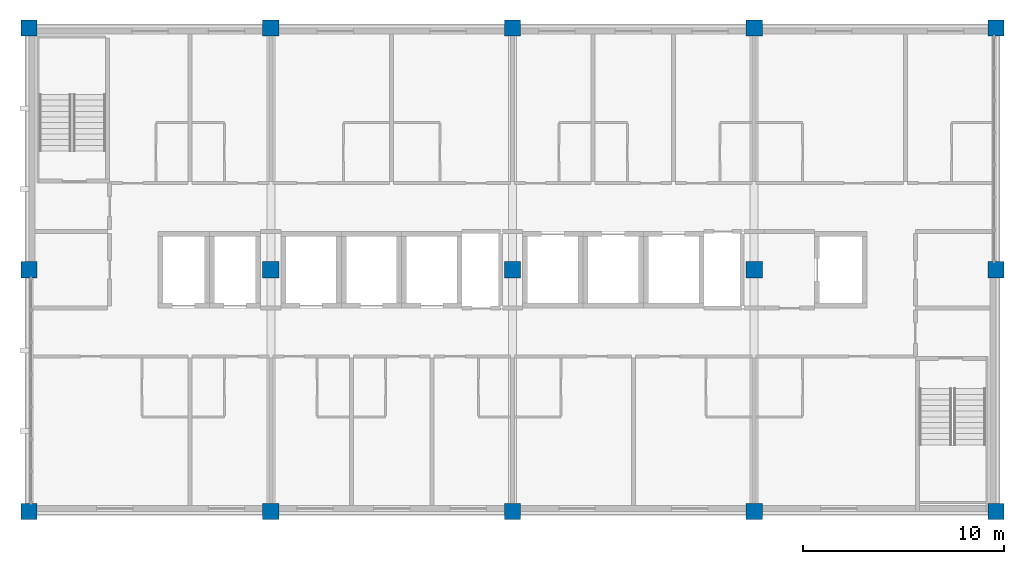
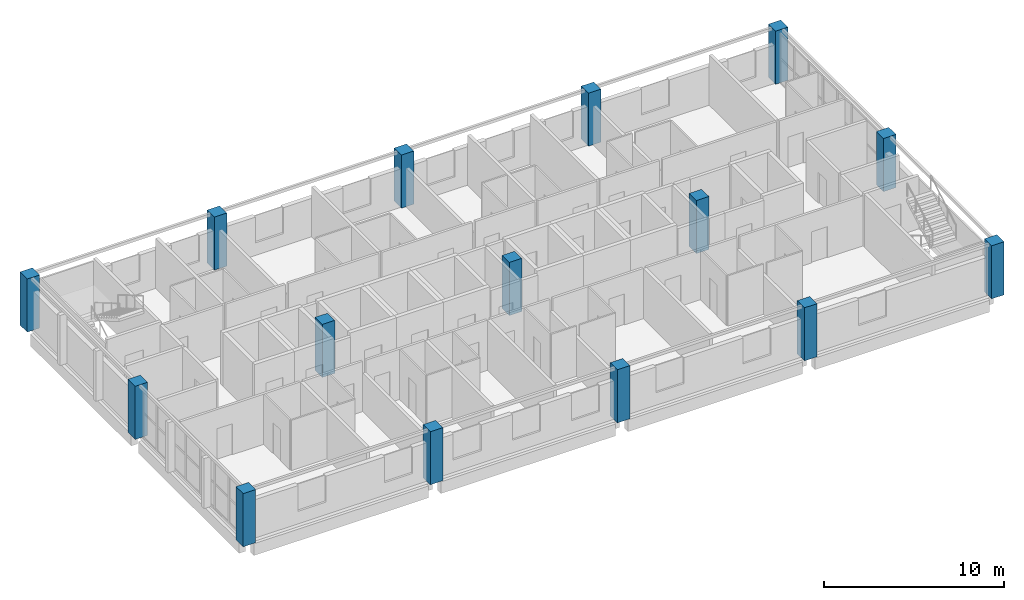
# One storey, part 1 of 11: 15 columns.
"""IFC4 building model written with IfcOpenShell, lengths in metres."""

import ifcopenshell
import ifcopenshell.guid

model = None  # the IFC model being written
_history = None  # IfcOwnerHistory: only IFC2X3 demands one
_inside = {}  # id of a spatial element -> (the spatial element, [elements in it])
_under = {}  # id of a project, library or spatial element -> (it, [spatial elements below it])
_declared = {}  # id of a project -> (the project, [libraries it declares])
_typed = {}  # id of a type object -> (the type object, [elements of that type])
_made_of = {}  # id of a material, layer set ... -> (it, [elements and type objects made of it])


def new_model(schema):
    """Start an empty IFC model of exactly this schema.

    Asked for "IFC4X3", IfcOpenShell would pick the latest addendum, in which some entities
    have other attributes; the version numbers below select the first issue.
    IFC2X3 requires an IfcOwnerHistory on every rooted entity: one is made here for all.
    """
    global model, _history
    if schema == "IFC4X3":
        model = ifcopenshell.file(schema_version=(4, 3, 0, 0))
    else:
        model = ifcopenshell.file(schema=schema)
    _inside.clear()
    _under.clear()
    _declared.clear()
    _typed.clear()
    _made_of.clear()
    _history = None
    if model.schema == "IFC2X3":
        org = make("IfcOrganization", Name="unknown")
        user = make(
            "IfcPersonAndOrganization",
            ThePerson=make("IfcPerson", FamilyName="unknown"),
            TheOrganization=org,
        )
        app = make(
            "IfcApplication",
            ApplicationDeveloper=org,
            Version="unknown",
            ApplicationFullName="unknown",
            ApplicationIdentifier="unknown",
        )
        _history = make(
            "IfcOwnerHistory",
            OwningUser=user,
            OwningApplication=app,
            ChangeAction="ADDED",
            CreationDate=0,
        )
    return model


def make(cls, **values):
    """One entity of the class cls with the attributes given. An attribute that is None is left unset."""
    return model.create_entity(
        cls, **{name: value for name, value in values.items() if value is not None}
    )


def rooted(cls, **values):
    """An entity with a GlobalId (a new one), such as an element, a storey or a relation."""
    return make(cls, GlobalId=ifcopenshell.guid.new(), OwnerHistory=_history, **values)


def si_unit(unit_type, name, prefix=None):
    """IfcSIUnit, for example si_unit("LENGTHUNIT", "METRE", prefix="MILLI")."""
    return make("IfcSIUnit", UnitType=unit_type, Prefix=prefix, Name=name)


def assignment(units):
    """IfcUnitAssignment: the units of a project."""
    return None if units is None else make("IfcUnitAssignment", Units=units)


def point(xyz):
    """IfcCartesianPoint."""
    return None if xyz is None else make("IfcCartesianPoint", Coordinates=xyz)


def direction(xyz):
    """IfcDirection."""
    return None if xyz is None else make("IfcDirection", DirectionRatios=xyz)


def frame(location, z_axis=None, x_axis=None):
    """IfcAxis2Placement3D, a coordinate frame: its origin and axes. An axis left out is left unset."""
    return make(
        "IfcAxis2Placement3D",
        Location=point(location),
        Axis=direction(z_axis),
        RefDirection=direction(x_axis),
    )


def frame_2d(location, x_axis=None):
    """IfcAxis2Placement2D, a coordinate frame in the plane: its origin and x axis."""
    return make(
        "IfcAxis2Placement2D", Location=point(location), RefDirection=direction(x_axis)
    )


def origin():
    """The frame at (0, 0, 0) with its axes left unset."""
    return frame((0.0, 0.0, 0.0))


def origin_2d():
    """The frame at (0, 0) in the plane with its x axis left unset."""
    return frame_2d((0.0, 0.0))


def place(relative_to, where):
    """IfcLocalPlacement: puts the frame where relative to a parent placement (None: the world)."""
    return make(
        "IfcLocalPlacement", PlacementRelTo=relative_to, RelativePlacement=where
    )


def context(
    kind, dimensions, precision=None, world=None, true_north=None, identifier=None
):
    """IfcGeometricRepresentationContext, for example the 3D "Model" context."""
    return make(
        "IfcGeometricRepresentationContext",
        ContextIdentifier=identifier,
        ContextType=kind,
        CoordinateSpaceDimension=dimensions,
        Precision=precision,
        WorldCoordinateSystem=world,
        TrueNorth=true_north,
    )


def subcontext(parent, identifier, kind, view, scale=None):
    """IfcGeometricRepresentationSubContext, for example "Body" below "Model"."""
    return make(
        "IfcGeometricRepresentationSubContext",
        ContextIdentifier=identifier,
        ContextType=kind,
        ParentContext=parent,
        TargetScale=scale,
        TargetView=view,
    )


def project(units=None, contexts=None):
    """IfcProject with its units and contexts."""
    return rooted(
        "IfcProject",
        Name="project",
        RepresentationContexts=contexts,
        UnitsInContext=assignment(units),
    )


def spatial(cls, under=None, at=None, **own):
    """A site, building, storey or space (cls), placed at a placement, below another one or the project."""
    s = rooted(cls, ObjectPlacement=at, **own)
    if under is not None:
        _under.setdefault(under.id(), (under, []))[1].append(s)
    return s


def profile(cls, at=None, kind="AREA", **sizes):
    """A parametric profile (cls). Its sizes go by their IFC names, for example OverallWidth=200.0."""
    return make(cls, ProfileType=kind, Position=at, **sizes)


def rectangle(**sizes):
    """IfcRectangleProfileDef."""
    return profile("IfcRectangleProfileDef", **sizes)


def extrude(swept, where, along, depth):
    """IfcExtrudedAreaSolid: the profile swept, set in the frame where, extruded along a direction by depth."""
    return make(
        "IfcExtrudedAreaSolid",
        SweptArea=swept,
        Position=where,
        ExtrudedDirection=direction(along),
        Depth=depth,
    )


def shape(context_of_items, identifier, shape_type, items):
    """IfcShapeRepresentation: the items that make up one representation, for example the "Body"."""
    return make(
        "IfcShapeRepresentation",
        ContextOfItems=context_of_items,
        RepresentationIdentifier=identifier,
        RepresentationType=shape_type,
        Items=items,
    )


def material(Name=None, Category=None):
    """IfcMaterial."""
    return make("IfcMaterial", Name=Name, Category=Category)


def material_profile(
    of_material, cross_section, Name=None, Category=None, Priority=None
):
    """IfcMaterialProfile: a cross section and its material."""
    return make(
        "IfcMaterialProfile",
        Name=Name,
        Material=of_material,
        Profile=cross_section,
        Priority=Priority,
        Category=Category,
    )


def profile_set(profiles, Name=None, composite=None):
    """IfcMaterialProfileSet."""
    return make(
        "IfcMaterialProfileSet",
        Name=Name,
        MaterialProfiles=profiles,
        CompositeProfile=composite,
    )


def made_of(thing, what):
    """Note that an element or type object is made of a material, layer set ...; save() writes the relation."""
    if what is not None:
        _made_of.setdefault(what.id(), (what, []))[1].append(thing)
    return thing


def type_object(cls, material=None, **own):
    """A type object (cls), such as IfcWallType, which elements share."""
    return made_of(rooted(cls, **own), material)


def element(
    cls,
    number,
    at=None,
    inside=None,
    cuts=None,
    type_object=None,
    material=None,
    context=None,
    identifier="Body",
    shape_type=None,
    held_by="IfcProductDefinitionShape",
    body=None,
    shapes=None,
    **own,
):
    """One element of the class cls, such as IfcWall. Its Tag is "e" and its number.

    at: its placement. inside: the storey or other place that contains it. cuts: it is an
    opening in that element (IfcRelVoidsElement). A single representation is given by context,
    identifier, shape_type and body (its items); several are given by shapes. held_by: the class
    of the entity that holds the representations. save() writes the other relations.
    """
    e = rooted(cls, Tag="e%d" % number, ObjectPlacement=at, **own)
    if body is not None:
        shapes = [shape(context, identifier, shape_type, body)]
    if shapes is not None:
        e.Representation = make(held_by, Representations=shapes)
    if inside is not None:
        _inside.setdefault(inside.id(), (inside, []))[1].append(e)
    if cuts is not None:
        rooted(
            "IfcRelVoidsElement", RelatingBuildingElement=cuts, RelatedOpeningElement=e
        )
    if type_object is not None:
        _typed.setdefault(type_object.id(), (type_object, []))[1].append(e)
    return made_of(e, material)


def aggregate(whole, parts):
    """IfcRelAggregates: a whole, such as a stair, and the parts it consists of."""
    return rooted("IfcRelAggregates", RelatingObject=whole, RelatedObjects=parts)


def save(model, path):
    """Write the relations noted so far, then the file.

    IfcRelAggregates (storeys below a building ...), IfcRelContainedInSpatialStructure (elements
    in a storey), IfcRelDefinesByType, IfcRelAssociatesMaterial and IfcRelDeclares: one each for
    every whole, place, type object, material and project.
    """
    for whole, parts in _under.values():
        aggregate(whole, parts)
    for where, things in _inside.values():
        rooted(
            "IfcRelContainedInSpatialStructure",
            RelatedElements=things,
            RelatingStructure=where,
        )
    for kind, things in _typed.values():
        rooted("IfcRelDefinesByType", RelatedObjects=things, RelatingType=kind)
    for what, things in _made_of.values():
        rooted("IfcRelAssociatesMaterial", RelatedObjects=things, RelatingMaterial=what)
    for by, libraries in _declared.values():
        rooted("IfcRelDeclares", RelatingContext=by, RelatedDefinitions=libraries)
    model.write(path)


model = new_model("IFC4")

# Units and contexts
model_context = context("Model", 3, precision=1e-05, world=origin(), true_north=direction((0.0, 1.0)))
body_context = subcontext(model_context, "Body", "Model", "MODEL_VIEW")
ifc_project = project(units=[si_unit("LENGTHUNIT", "METRE"), si_unit("AREAUNIT", "SQUARE_METRE"), si_unit("VOLUMEUNIT", "CUBIC_METRE"), si_unit("PLANEANGLEUNIT", "RADIAN"), si_unit("MASSUNIT", "GRAM", prefix="KILO")], contexts=[model_context])

# Site, building, storey
site_placement = place(None, origin())
site = spatial("IfcSite", under=ifc_project, at=site_placement, CompositionType="ELEMENT")
building_placement = place(site_placement, origin())
building = spatial("IfcBuilding", under=site, at=building_placement, Name="Lilac Gate Convention Centre", CompositionType="ELEMENT")
storey_placement = place(building_placement, frame((0.0, 0.0, 42.60009765625)))
storey = spatial("IfcBuildingStorey", under=building, at=storey_placement, Name="L10", CompositionType="ELEMENT", Elevation=42.60009765625)

# Columns
ifc_material = material(Name="Concrete C40", Category="concrete")
ifc_material_profile = material_profile(ifc_material, rectangle(XDim=0.800048828125, YDim=0.800048828125, at=origin_2d()), Name="RC 800x800")
ifc_profile_set = profile_set([ifc_material_profile], Name="Concrete C40")
column_type = type_object("IfcColumnType", Name="RC tower column 800x800 C40", PredefinedType="COLUMN", material=ifc_profile_set)
for number, where, z_axis, x_axis, name in (
    (1, (42.0, 222.0, 0.0), (0.0, 0.0, 1.0), (1.0, 0.0, 0.0), "C6 L10 at 4/S"),
    (2, (42.0, 234.0, 0.0), (0.0, 0.0, 1.0), (1.0, 0.0, 0.0), "C6 L10 at 4/T"),
    (3, (42.0, 246.0, 0.0), (0.0, 0.0, 1.0), (1.0, 0.0, 0.0), "C6 L10 at 4/U"),
    (4, (54.0, 222.0, 0.0), (0.0, 0.0, 1.0), (1.0, 0.0, 0.0), "C6 L10 at 5/S"),
    (5, (54.0, 234.0, 0.0), (0.0, 0.0, 1.0), (1.0, 0.0, 0.0), "C6 L10 at 5/T"),
    (6, (54.0, 246.0, 0.0), (0.0, 0.0, 1.0), (1.0, 0.0, 0.0), "C6 L10 at 5/U"),
    (7, (66.0, 222.0, 0.0), (0.0, 0.0, 1.0), (1.0, 0.0, 0.0), "C6 L10 at 6/S"),
    (8, (66.0, 234.0, 0.0), (0.0, 0.0, 1.0), (1.0, 0.0, 0.0), "C6 L10 at 6/T"),
    (9, (66.0, 246.0, 0.0), (0.0, 0.0, 1.0), (1.0, 0.0, 0.0), "C6 L10 at 6/U"),
    (10, (78.0, 222.0, 0.0), (0.0, 0.0, 1.0), (1.0, 0.0, 0.0), "C6 L10 at 7/S"),
    (11, (78.0, 234.0, 0.0), (0.0, 0.0, 1.0), (1.0, 0.0, 0.0), "C6 L10 at 7/T"),
    (12, (78.0, 246.0, 0.0), (0.0, 0.0, 1.0), (1.0, 0.0, 0.0), "C6 L10 at 7/U"),
    (13, (90.0, 222.0, 0.0), (0.0, 0.0, 1.0), (1.0, 0.0, 0.0), "C6 L10 at 8/S"),
    (14, (90.0, 234.0, 0.0), (0.0, 0.0, 1.0), (1.0, 0.0, 0.0), "C6 L10 at 8/T"),
    (15, (90.0, 246.0, 0.0), (0.0, 0.0, 1.0), (1.0, 0.0, 0.0), "C6 L10 at 8/U"),
):
    element("IfcColumn", number, at=place(storey_placement, frame(where, z_axis=z_axis, x_axis=x_axis)), inside=storey, type_object=column_type, Name=name, PredefinedType="COLUMN", context=body_context, shape_type="SweptSolid", body=[
        extrude(rectangle(XDim=0.800048828125, YDim=0.800048828125, at=origin_2d()), origin(), (0.0, 0.0, 1.0), 3.599853515625),
    ])

save(model, "model.ifc")
